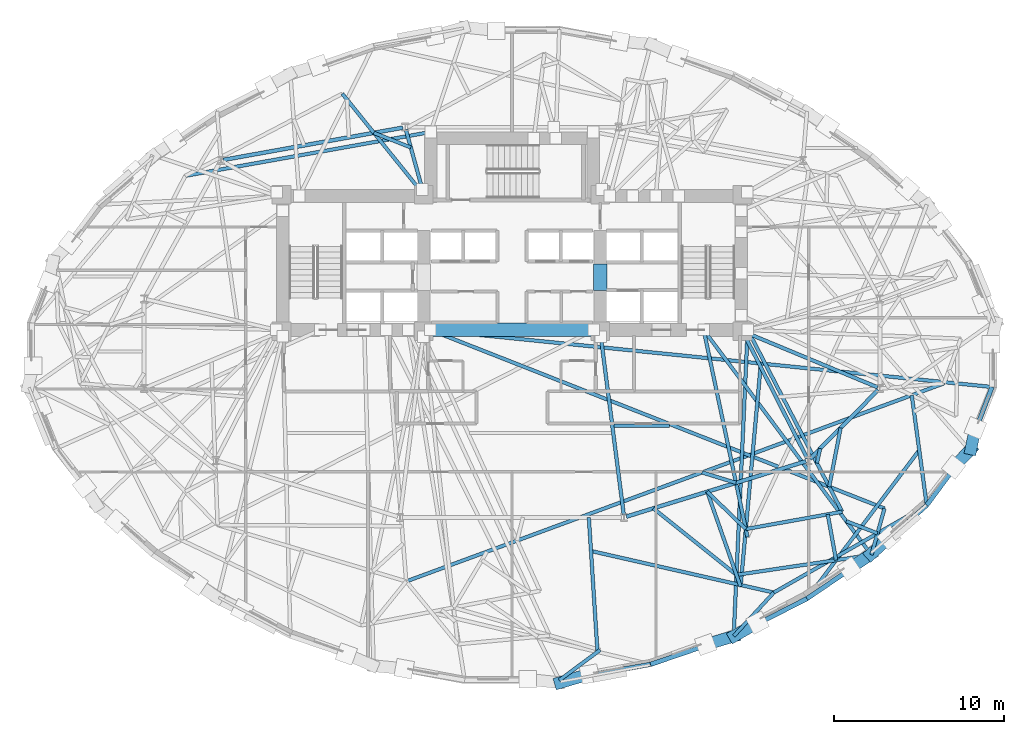
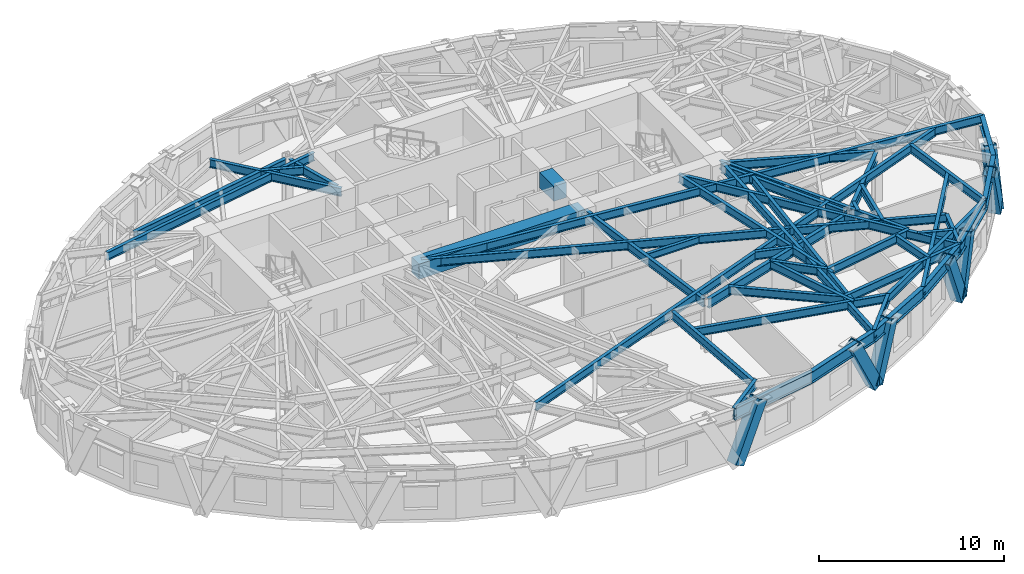
# One storey, part 3 of 15: 46 beams, 7 members.
"""IFC4 building model written with IfcOpenShell, lengths in metres."""

from ifc_helpers import new_model, si_unit, direction, frame, origin, origin_2d, place, context, subcontext, project, spatial, rectangle, hollow_rectangle, i_section, extrude, material, material_profile, profile_set, type_object, element, save


model = new_model("IFC4")

# Units and contexts
model_context = context("Model", 3, precision=1e-05, world=origin(), true_north=direction((0.0, 1.0)))
body_context = subcontext(model_context, "Body", "Model", "MODEL_VIEW")
ifc_project = project(units=[si_unit("LENGTHUNIT", "METRE"), si_unit("AREAUNIT", "SQUARE_METRE"), si_unit("VOLUMEUNIT", "CUBIC_METRE"), si_unit("PLANEANGLEUNIT", "RADIAN"), si_unit("MASSUNIT", "GRAM", prefix="KILO")], contexts=[model_context])

# Site, building, storey
site_placement = place(None, origin())
site = spatial("IfcSite", under=ifc_project, at=site_placement, CompositionType="ELEMENT")
building_placement = place(site_placement, origin())
building = spatial("IfcBuilding", under=site, at=building_placement, Name="Keldmark Tower", CompositionType="ELEMENT")
storey_placement = place(building_placement, frame((0.0, 0.0, 93.10009765625)))
storey = spatial("IfcBuildingStorey", under=building, at=storey_placement, Name="L24", CompositionType="ELEMENT", Elevation=93.10009765625)

# Beams
ifc_material_1 = material(Name="Steel ASTM A992 Grade 50", Category="steel")
ifc_material_profile_1 = material_profile(ifc_material_1, i_section(OverallWidth=0.19091796875, OverallDepth=0.45703125, WebThickness=0.009033203125, FlangeThickness=0.014404296875, at=origin_2d()), Name="W18X50")
ifc_profile_set_1 = profile_set([ifc_material_profile_1], Name="Steel ASTM A992 Grade 50")
beam_type_1 = type_object("IfcBeamType", Name="Composite Floor Joist W18X50", PredefinedType="JOIST", material=ifc_profile_set_1)
beam_1_placement = place(storey_placement, frame((6.016845703125, -4.179931640625, 3.081298828125), z_axis=(1.0, 0.0, 0.0), x_axis=(0.0, 1.0, 0.0)))
element("IfcBeam", 1, at=beam_1_placement, inside=storey, type_object=beam_type_1, Name="L24 Composite Floor Joist J03", PredefinedType="JOIST", context=body_context, shape_type="SweptSolid", body=[
    extrude(i_section(OverallWidth=0.19091796875, OverallDepth=0.45703125, WebThickness=0.009033203125, FlangeThickness=0.014404296875, at=origin_2d()), origin(), (0.0, 0.0, 1.0), 3.2744140625),
])
ifc_material_2 = material(Name="Concrete C70/85", Category="concrete")
ifc_material_profile_2 = material_profile(ifc_material_2, rectangle(XDim=0.800048828125, YDim=1.0, at=origin_2d()), Name="RCB800X1000")
ifc_profile_set_2 = profile_set([ifc_material_profile_2], Name="Concrete C70/85")
beam_type_2 = type_object("IfcBeamType", Name="Core Coupling Beam RCB800X1000", PredefinedType="USERDEFINED", material=ifc_profile_set_2)
beam_2_placement = place(storey_placement, frame((5.199951171875, 3.800048828125, 2.809814453125), z_axis=(0.0, 1.0, 0.0), x_axis=(-1.0, 0.0, 0.0)))
element("IfcBeam", 2, at=beam_2_placement, inside=storey, type_object=beam_type_2, Name="L24 East Core Coupling Beam", ObjectType="COUPLING BEAM", PredefinedType="USERDEFINED", context=body_context, shape_type="SweptSolid", body=[
    extrude(rectangle(XDim=0.800048828125, YDim=1.0, at=origin_2d()), origin(), (0.0, 0.0, 1.0), 1.550048828125),
])
beam_3_placement = place(storey_placement, frame((-5.199951171875, 1.47509765625, 2.809814453125), z_axis=(1.0, 0.0, 0.0), x_axis=(0.0, 1.0, 0.0)))
element("IfcBeam", 3, at=beam_3_placement, inside=storey, type_object=beam_type_2, Name="L24 Central South Core Coupling Beam", ObjectType="COUPLING BEAM", PredefinedType="USERDEFINED", context=body_context, shape_type="SweptSolid", body=[
    extrude(rectangle(XDim=0.800048828125, YDim=1.0, at=origin_2d()), origin(), (0.0, 0.0, 1.0), 10.39990234375),
])

# Members
ifc_material_3 = material(Name="Steel ASTM A572 Grade 50", Category="steel")
ifc_material_profile_3 = material_profile(ifc_material_3, hollow_rectangle(XDim=0.699951171875, YDim=0.699951171875, WallThickness=0.054931640625, at=origin_2d()), Name="BOX700X700X55")
ifc_profile_set_3 = profile_set([ifc_material_profile_3], Name="Steel ASTM A572 Grade 50")
member_type = type_object("IfcMemberType", Name="Diagrid Zone 1 Brace BOX700X700X55", PredefinedType="BRACE", material=ifc_profile_set_3)
member_1_placement = place(storey_placement, frame((2.81201171875, -19.334228515625, -0.27001953125), z_axis=(0.450197140051, 0.131494458127, 0.883194057143), x_axis=(-0.280367353744, 0.959892778885, 0.0)))
element("IfcMember", 4, at=member_1_placement, inside=storey, type_object=member_type, Name="L24 Perimeter Diagrid Brace 13A", PredefinedType="BRACE", context=body_context, shape_type="SweptSolid", body=[
    extrude(hollow_rectangle(XDim=0.699951171875, YDim=0.699951171875, WallThickness=0.054931640625, at=origin_2d()), origin(), (0.0, 0.0, 1.0), 3.91748046875),
])
member_2_placement = place(storey_placement, frame((13.1044921875, -16.583251953125, -0.27001953125), z_axis=(-0.433555425842, -0.128575081288, 0.891907024972), x_axis=(0.28432050225, -0.958729290259, 0.0)))
element("IfcMember", 5, at=member_2_placement, inside=storey, type_object=member_type, Name="L24 Perimeter Diagrid Brace 13B", PredefinedType="BRACE", context=body_context, shape_type="SweptSolid", body=[
    extrude(hollow_rectangle(XDim=0.699951171875, YDim=0.699951171875, WallThickness=0.054931640625, at=origin_2d()), origin(), (0.0, 0.0, 1.0), 3.87939453125),
])
member_3_placement = place(storey_placement, frame((13.093505859375, -16.587890625, -0.27001953125), z_axis=(0.365844500042, 0.208331673834, 0.907058826905), x_axis=(-0.494844996477, 0.868981259558, 0.0)))
element("IfcMember", 6, at=member_3_placement, inside=storey, type_object=member_type, Name="L24 Perimeter Diagrid Brace 14A", PredefinedType="BRACE", context=body_context, shape_type="SweptSolid", body=[
    extrude(hollow_rectangle(XDim=0.699951171875, YDim=0.699951171875, WallThickness=0.054931640625, at=origin_2d()), origin(), (0.0, 0.0, 1.0), 3.814453125),
])
member_4_placement = place(storey_placement, frame((21.16943359375, -11.751220703125, -0.27001953125), z_axis=(-0.336388011128, -0.22621529339, 0.914149739925), x_axis=(0.558037263463, -0.829815890778, 0.0)))
element("IfcMember", 7, at=member_4_placement, inside=storey, type_object=member_type, Name="L24 Perimeter Diagrid Brace 14B", PredefinedType="BRACE", context=body_context, shape_type="SweptSolid", body=[
    extrude(hollow_rectangle(XDim=0.699951171875, YDim=0.699951171875, WallThickness=0.054931640625, at=origin_2d()), origin(), (0.0, 0.0, 1.0), 3.784912109375),
])
member_5_placement = place(storey_placement, frame((21.1611328125, -11.759521484375, -0.27001953125), z_axis=(0.288013107273, 0.260967181173, 0.921381886293), x_axis=(-0.671456277995, 0.741044173273, 0.0)))
element("IfcMember", 8, at=member_5_placement, inside=storey, type_object=member_type, Name="L24 Perimeter Diagrid Brace 15A", PredefinedType="BRACE", context=body_context, shape_type="SweptSolid", body=[
    extrude(hollow_rectangle(XDim=0.699951171875, YDim=0.699951171875, WallThickness=0.054931640625, at=origin_2d()), origin(), (0.0, 0.0, 1.0), 3.755126953125),
])
member_6_placement = place(storey_placement, frame((27.07470703125, -5.5498046875, -0.27001953125), z_axis=(-0.271688617998, -0.28375789981, 0.919601407755), x_axis=(0.722300988168, -0.691578833172, 0.0)))
element("IfcMember", 9, at=member_6_placement, inside=storey, type_object=member_type, Name="L24 Perimeter Diagrid Brace 15B", PredefinedType="BRACE", context=body_context, shape_type="SweptSolid", body=[
    extrude(hollow_rectangle(XDim=0.699951171875, YDim=0.699951171875, WallThickness=0.054931640625, at=origin_2d()), origin(), (0.0, 0.0, 1.0), 3.762451171875),
])
member_7_placement = place(storey_placement, frame((27.0703125, -5.560791015625, -0.27001953125), z_axis=(0.070587021727, 0.340630341962, 0.937543834974), x_axis=(-0.97919661889, 0.202913729337, 0.0)))
element("IfcMember", 10, at=member_7_placement, inside=storey, type_object=member_type, Name="L24 Perimeter Diagrid Brace 16A", PredefinedType="BRACE", context=body_context, shape_type="SweptSolid", body=[
    extrude(hollow_rectangle(XDim=0.699951171875, YDim=0.699951171875, WallThickness=0.054931640625, at=origin_2d()), origin(), (0.0, 0.0, 1.0), 3.6904296875),
])

# Beams
ifc_material_4 = material(Name="Steel ASTM A992 Grade 50", Category="steel")
ifc_material_profile_4 = material_profile(ifc_material_4, i_section(OverallWidth=0.22900390625, OverallDepth=0.612060546875, WebThickness=0.011962890625, FlangeThickness=0.01953125, at=origin_2d()), Name="W24X84")
ifc_profile_set_4 = profile_set([ifc_material_profile_4], Name="Steel ASTM A992 Grade 50")
beam_type_3 = type_object("IfcBeamType", Name="Primary Floor Girder W24X84", PredefinedType="BEAM", material=ifc_profile_set_4)
beam_4_placement = place(storey_placement, frame((-6.4365234375, 13.40771484375, 3.00390625), z_axis=(-0.984218266992, -0.176958760505, 0.0), x_axis=(0.176958760505, -0.984218266992, 0.0)))
element("IfcBeam", 11, at=beam_4_placement, inside=storey, type_object=beam_type_3, Name="L24 Floor Ring Girder FG-R04", PredefinedType="BEAM", context=body_context, shape_type="SweptSolid", body=[
    extrude(i_section(OverallWidth=0.22900390625, OverallDepth=0.612060546875, WebThickness=0.011962890625, FlangeThickness=0.01953125, at=origin_2d()), origin(), (0.0, 0.0, 1.0), 10.7626953125),
])
beam_5_placement = place(storey_placement, frame((6.74658203125, -9.5380859375, 3.00390625), z_axis=(0.955607954968, 0.294641199432, 0.0), x_axis=(-0.294641199432, 0.955607954968, 0.0)))
element("IfcBeam", 12, at=beam_5_placement, inside=storey, type_object=beam_type_3, Name="L24 Floor Ring Girder FG-R10", PredefinedType="BEAM", context=body_context, shape_type="SweptSolid", body=[
    extrude(i_section(OverallWidth=0.22900390625, OverallDepth=0.612060546875, WebThickness=0.011962890625, FlangeThickness=0.01953125, at=origin_2d()), origin(), (0.0, 0.0, 1.0), 11.089111328125),
])
beam_6_placement = place(storey_placement, frame((17.57568359375, -6.130126953125, 3.00390625), z_axis=(0.703425791323, 0.71076870788, 0.0), x_axis=(-0.71076870788, 0.703425791323, 0.0)))
element("IfcBeam", 13, at=beam_6_placement, inside=storey, type_object=beam_type_3, Name="L24 Floor Ring Girder FG-R11", PredefinedType="BEAM", context=body_context, shape_type="SweptSolid", body=[
    extrude(i_section(OverallWidth=0.22900390625, OverallDepth=0.612060546875, WebThickness=0.011962890625, FlangeThickness=0.01953125, at=origin_2d()), origin(), (0.0, 0.0, 1.0), 5.71875),
])
ifc_material_5 = material(Name="Steel ASTM A992 Grade 50", Category="steel")
ifc_material_profile_5 = material_profile(ifc_material_5, i_section(OverallWidth=0.2099609375, OverallDepth=0.537109375, WebThickness=0.010986328125, FlangeThickness=0.017333984375, at=origin_2d()), Name="W21X68")
ifc_profile_set_5 = profile_set([ifc_material_profile_5], Name="Steel ASTM A992 Grade 50")
beam_type_4 = type_object("IfcBeamType", Name="Radial Tie Girder W21X68", PredefinedType="BEAM", material=ifc_profile_set_5)
beam_7_placement = place(storey_placement, frame((-5.968505859375, 12.23583984375, 3.04150390625), z_axis=(-0.929415261927, 0.369035595704, 0.0), x_axis=(-0.369035595704, -0.929415261927, 0.0)))
element("IfcBeam", 14, at=beam_7_placement, inside=storey, type_object=beam_type_4, Name="L24 Framing Pin Header PH-002", PredefinedType="BEAM", context=body_context, shape_type="SweptSolid", body=[
    extrude(i_section(OverallWidth=0.2099609375, OverallDepth=0.537109375, WebThickness=0.010986328125, FlangeThickness=0.017333984375, at=origin_2d()), origin(), (0.0, 0.0, 1.0), 2.342529296875),
])
beam_8_placement = place(storey_placement, frame((-5.199951171875, 9.449951171875, 3.04150390625), z_axis=(-0.628014186536, 0.778201889942, 0.0), x_axis=(-0.778201889942, -0.628014186536, 0.0)))
element("IfcBeam", 15, at=beam_8_placement, inside=storey, type_object=beam_type_4, Name="L24 Sub-Ring Step Girder STP1-M05", PredefinedType="BEAM", context=body_context, shape_type="SweptSolid", body=[
    extrude(i_section(OverallWidth=0.2099609375, OverallDepth=0.537109375, WebThickness=0.010986328125, FlangeThickness=0.017333984375, at=origin_2d()), origin(), (0.0, 0.0, 1.0), 7.656494140625),
])
beam_9_placement = place(storey_placement, frame((-4.800048828125, 13.14990234375, 3.04150390625), z_axis=(-0.984417311093, -0.175848109515, 0.0), x_axis=(0.175848109515, -0.984417311093, 0.0)))
element("IfcBeam", 16, at=beam_9_placement, inside=storey, type_object=beam_type_4, Name="L24 Sub-Ring Step Girder STP1-M06", PredefinedType="BEAM", context=body_context, shape_type="SweptSolid", body=[
    extrude(i_section(OverallWidth=0.2099609375, OverallDepth=0.537109375, WebThickness=0.010986328125, FlangeThickness=0.017333984375, at=origin_2d()), origin(), (0.0, 0.0, 1.0), 14.70263671875),
])
beam_10_placement = place(storey_placement, frame((-6.239501953125, -13.35791015625, 3.04150390625), z_axis=(0.938383552049, 0.345595586262, 0.0), x_axis=(-0.345595586262, 0.938383552049, 0.0)))
element("IfcBeam", 17, at=beam_10_placement, inside=storey, type_object=beam_type_4, Name="L24 Perimeter Collector Ring Beam CRG1-M09", PredefinedType="BEAM", context=body_context, shape_type="SweptSolid", body=[
    extrude(i_section(OverallWidth=0.2099609375, OverallDepth=0.537109375, WebThickness=0.010986328125, FlangeThickness=0.017333984375, at=origin_2d()), origin(), (0.0, 0.0, 1.0), 33.806396484375),
])
beam_11_placement = place(storey_placement, frame((11.208251953125, -6.931884765625, 3.04150390625), z_axis=(0.956473475478, -0.291819277476, 0.0), x_axis=(0.291819277476, 0.956473475478, 0.0)))
element("IfcBeam", 18, at=beam_11_placement, inside=storey, type_object=beam_type_4, Name="L24 Framing Pin Header PH-013", PredefinedType="BEAM", context=body_context, shape_type="SweptSolid", body=[
    extrude(i_section(OverallWidth=0.2099609375, OverallDepth=0.537109375, WebThickness=0.010986328125, FlangeThickness=0.017333984375, at=origin_2d()), origin(), (0.0, 0.0, 1.0), 2.097412109375),
])
beam_12_placement = place(storey_placement, frame((11.30712890625, 1.47509765625, 3.04150390625), z_axis=(0.206880823206, -0.978366150779, 0.0), x_axis=(0.978366150779, 0.206880823206, 0.0)))
element("IfcBeam", 19, at=beam_12_placement, inside=storey, type_object=beam_type_4, Name="L24 Sub-Ring Step Girder STP2-M11", PredefinedType="BEAM", context=body_context, shape_type="SweptSolid", body=[
    extrude(i_section(OverallWidth=0.2099609375, OverallDepth=0.537109375, WebThickness=0.010986328125, FlangeThickness=0.017333984375, at=origin_2d()), origin(), (0.0, 0.0, 1.0), 12.48193359375),
])
beam_13_placement = place(storey_placement, frame((2.78857421875, -19.192138671875, 3.04150390625), z_axis=(0.802397351896, 0.596790155474, 0.0), x_axis=(-0.596790155474, 0.802397351896, 0.0)))
element("IfcBeam", 20, at=beam_13_placement, inside=storey, type_object=beam_type_4, Name="L24 Local Collector Chord RT-26C", PredefinedType="BEAM", context=body_context, shape_type="SweptSolid", body=[
    extrude(i_section(OverallWidth=0.2099609375, OverallDepth=0.537109375, WebThickness=0.010986328125, FlangeThickness=0.017333984375, at=origin_2d()), origin(), (0.0, 0.0, 1.0), 2.998291015625),
])
beam_14_placement = place(storey_placement, frame((4.531005859375, -9.579345703125, 3.04150390625), z_axis=(0.06447498935, -0.997919323266, 0.0), x_axis=(0.997919323266, 0.06447498935, 0.0)))
element("IfcBeam", 21, at=beam_14_placement, inside=storey, type_object=beam_type_4, Name="L24 Framing Pin Header PH-038", PredefinedType="BEAM", context=body_context, shape_type="SweptSolid", body=[
    extrude(i_section(OverallWidth=0.2099609375, OverallDepth=0.537109375, WebThickness=0.010986328125, FlangeThickness=0.017333984375, at=origin_2d()), origin(), (0.0, 0.0, 1.0), 7.951904296875),
])
beam_15_placement = place(storey_placement, frame((11.51513671875, -8.06787109375, 3.04150390625), z_axis=(0.718497764922, -0.695529267395, 0.0), x_axis=(0.695529267395, 0.718497764922, 0.0)))
element("IfcBeam", 22, at=beam_15_placement, inside=storey, type_object=beam_type_4, Name="L24 Framing Pin Header PH-039", PredefinedType="BEAM", context=body_context, shape_type="SweptSolid", body=[
    extrude(i_section(OverallWidth=0.2099609375, OverallDepth=0.537109375, WebThickness=0.010986328125, FlangeThickness=0.017333984375, at=origin_2d()), origin(), (0.0, 0.0, 1.0), 3.16748046875),
])
beam_16_placement = place(storey_placement, frame((14.662109375, -0.690185546875, 3.04150390625), z_axis=(-0.09054588762, -0.995892284454, 0.0), x_axis=(0.995892284454, -0.09054588762, 0.0)))
element("IfcBeam", 23, at=beam_16_placement, inside=storey, type_object=beam_type_4, Name="L24 Intermediate Radial Step Girder RT-27M", PredefinedType="BEAM", context=body_context, shape_type="SweptSolid", body=[
    extrude(i_section(OverallWidth=0.2099609375, OverallDepth=0.537109375, WebThickness=0.010986328125, FlangeThickness=0.017333984375, at=origin_2d()), origin(), (0.0, 0.0, 1.0), 13.023193359375),
])
beam_17_placement = place(storey_placement, frame((11.51513671875, -8.06787109375, 3.04150390625), z_axis=(0.331936750088, -0.943301645255, 0.0), x_axis=(0.943301645255, 0.331936750088, 0.0)))
element("IfcBeam", 24, at=beam_17_placement, inside=storey, type_object=beam_type_4, Name="L24 Local Collector Chord RT-27C", PredefinedType="BEAM", context=body_context, shape_type="SweptSolid", body=[
    extrude(i_section(OverallWidth=0.2099609375, OverallDepth=0.537109375, WebThickness=0.010986328125, FlangeThickness=0.017333984375, at=origin_2d()), origin(), (0.0, 0.0, 1.0), 5.92822265625),
])
beam_18_placement = place(storey_placement, frame((8.336181640625, -9.048095703125, 3.04150390625), z_axis=(0.780830889327, -0.624742444751, 0.0), x_axis=(0.624742444751, 0.780830889327, 0.0)))
element("IfcBeam", 25, at=beam_18_placement, inside=storey, type_object=beam_type_4, Name="L24 Framing Pin Header PH-040", PredefinedType="BEAM", context=body_context, shape_type="SweptSolid", body=[
    extrude(i_section(OverallWidth=0.2099609375, OverallDepth=0.537109375, WebThickness=0.010986328125, FlangeThickness=0.017333984375, at=origin_2d()), origin(), (0.0, 0.0, 1.0), 6.281494140625),
])
beam_19_placement = place(storey_placement, frame((13.89990234375, 1.47509765625, 3.04150390625), z_axis=(-0.045567554309, -0.998961259506, 0.0), x_axis=(0.998961259506, -0.045567554309, 0.0)))
element("IfcBeam", 26, at=beam_19_placement, inside=storey, type_object=beam_type_4, Name="L24 Perimeter Radial Tie Girder RT-27", PredefinedType="BEAM", context=body_context, shape_type="SweptSolid", body=[
    extrude(i_section(OverallWidth=0.2099609375, OverallDepth=0.537109375, WebThickness=0.010986328125, FlangeThickness=0.017333984375, at=origin_2d()), origin(), (0.0, 0.0, 1.0), 18.0771484375),
])
beam_20_placement = place(storey_placement, frame((4.6591796875, -11.563232421875, 3.04150390625), z_axis=(0.975091196702, -0.221804323931, 0.0), x_axis=(0.221804323931, 0.975091196702, 0.0)))
element("IfcBeam", 27, at=beam_20_placement, inside=storey, type_object=beam_type_4, Name="L24 Intermediate Radial Step Girder RT-28M", PredefinedType="BEAM", context=body_context, shape_type="SweptSolid", body=[
    extrude(i_section(OverallWidth=0.2099609375, OverallDepth=0.537109375, WebThickness=0.010986328125, FlangeThickness=0.017333984375, at=origin_2d()), origin(), (0.0, 0.0, 1.0), 11.0576171875),
])
beam_21_placement = place(storey_placement, frame((13.076171875, -16.583251953125, 3.04150390625), z_axis=(0.677559392976, 0.735468061162, 0.0), x_axis=(-0.735468061162, 0.677559392976, 0.0)))
element("IfcBeam", 28, at=beam_21_placement, inside=storey, type_object=beam_type_4, Name="L24 Local Collector Chord RT-28C", PredefinedType="BEAM", context=body_context, shape_type="SweptSolid", body=[
    extrude(i_section(OverallWidth=0.2099609375, OverallDepth=0.537109375, WebThickness=0.010986328125, FlangeThickness=0.017333984375, at=origin_2d()), origin(), (0.0, 0.0, 1.0), 3.49072265625),
])
beam_22_placement = place(storey_placement, frame((18.17919921875, -5.5205078125, 3.04150390625), z_axis=(-0.218421323768, -0.975854561563, 0.0), x_axis=(0.975854561563, -0.218421323768, 0.0)))
element("IfcBeam", 29, at=beam_22_placement, inside=storey, type_object=beam_type_4, Name="L24 Framing Pin Header PH-041", PredefinedType="BEAM", context=body_context, shape_type="SweptSolid", body=[
    extrude(i_section(OverallWidth=0.2099609375, OverallDepth=0.537109375, WebThickness=0.010986328125, FlangeThickness=0.017333984375, at=origin_2d()), origin(), (0.0, 0.0, 1.0), 0.884033203125),
])
beam_23_placement = place(storey_placement, frame((13.89990234375, 1.47509765625, 3.04150390625), z_axis=(0.4613349316, -0.887226059629, 0.0), x_axis=(0.887226059629, 0.4613349316, 0.0)))
element("IfcBeam", 30, at=beam_23_placement, inside=storey, type_object=beam_type_4, Name="L24 Intermediate Radial Step Girder RT-29M", PredefinedType="BEAM", context=body_context, shape_type="SweptSolid", body=[
    extrude(i_section(OverallWidth=0.2099609375, OverallDepth=0.537109375, WebThickness=0.010986328125, FlangeThickness=0.017333984375, at=origin_2d()), origin(), (0.0, 0.0, 1.0), 12.088623046875),
])
beam_24_placement = place(storey_placement, frame((13.791015625, -10.27099609375, 3.04150390625), z_axis=(0.984264422643, 0.176701857146, 0.0), x_axis=(-0.176701857146, 0.984264422643, 0.0)))
element("IfcBeam", 31, at=beam_24_placement, inside=storey, type_object=beam_type_4, Name="L24 Local Collector Chord RT-29C", PredefinedType="BEAM", context=body_context, shape_type="SweptSolid", body=[
    extrude(i_section(OverallWidth=0.2099609375, OverallDepth=0.537109375, WebThickness=0.010986328125, FlangeThickness=0.017333984375, at=origin_2d()), origin(), (0.0, 0.0, 1.0), 5.776611328125),
])
beam_25_placement = place(storey_placement, frame((11.30712890625, 1.47509765625, 3.04150390625), z_axis=(0.597762832939, -0.801672997897, 0.0), x_axis=(0.801672997897, 0.597762832939, 0.0)))
element("IfcBeam", 32, at=beam_25_placement, inside=storey, type_object=beam_type_4, Name="L24 Perimeter Radial Tie Girder RT-29", PredefinedType="BEAM", context=body_context, shape_type="SweptSolid", body=[
    extrude(i_section(OverallWidth=0.2099609375, OverallDepth=0.537109375, WebThickness=0.010986328125, FlangeThickness=0.017333984375, at=origin_2d()), origin(), (0.0, 0.0, 1.0), 16.552490234375),
])
beam_26_placement = place(storey_placement, frame((19.385986328125, -4.301025390625, 3.04150390625), z_axis=(-0.190913964962, -0.981606773603, 0.0), x_axis=(0.981606773603, -0.190913964962, 0.0)))
element("IfcBeam", 33, at=beam_26_placement, inside=storey, type_object=beam_type_4, Name="L24 Framing Pin Header PH-042", PredefinedType="BEAM", context=body_context, shape_type="SweptSolid", body=[
    extrude(i_section(OverallWidth=0.2099609375, OverallDepth=0.537109375, WebThickness=0.010986328125, FlangeThickness=0.017333984375, at=origin_2d()), origin(), (0.0, 0.0, 1.0), 3.539794921875),
])
beam_27_placement = place(storey_placement, frame((-4.824951171875, 1.47509765625, 3.04150390625), z_axis=(0.930686957858, -0.365816602238, 0.0), x_axis=(0.365816602238, 0.930686957858, 0.0)))
element("IfcBeam", 34, at=beam_27_placement, inside=storey, type_object=beam_type_4, Name="L24 Intermediate Radial Step Girder RT-30M", PredefinedType="BEAM", context=body_context, shape_type="SweptSolid", body=[
    extrude(i_section(OverallWidth=0.2099609375, OverallDepth=0.537109375, WebThickness=0.010986328125, FlangeThickness=0.017333984375, at=origin_2d()), origin(), (0.0, 0.0, 1.0), 28.791015625),
])
beam_28_placement = place(storey_placement, frame((21.20166015625, -11.794677734375, 3.04150390625), z_axis=(0.270375074145, 0.962755067128, 0.0), x_axis=(-0.962755067128, 0.270375074145, 0.0)))
element("IfcBeam", 35, at=beam_28_placement, inside=storey, type_object=beam_type_4, Name="L24 Local Collector Chord RT-30C", PredefinedType="BEAM", context=body_context, shape_type="SweptSolid", body=[
    extrude(i_section(OverallWidth=0.2099609375, OverallDepth=0.537109375, WebThickness=0.010986328125, FlangeThickness=0.017333984375, at=origin_2d()), origin(), (0.0, 0.0, 1.0), 2.843505859375),
])
beam_29_placement = place(storey_placement, frame((19.71728515625, -9.80419921875, 3.04150390625), z_axis=(0.931603121715, -0.363477129419, 0.0), x_axis=(0.363477129419, 0.931603121715, 0.0)))
element("IfcBeam", 36, at=beam_29_placement, inside=storey, type_object=beam_type_4, Name="L24 Framing Pin Header PH-043", PredefinedType="BEAM", context=body_context, shape_type="SweptSolid", body=[
    extrude(i_section(OverallWidth=0.2099609375, OverallDepth=0.537109375, WebThickness=0.010986328125, FlangeThickness=0.017333984375, at=origin_2d()), origin(), (0.0, 0.0, 1.0), 1.976806640625),
])
beam_30_placement = place(storey_placement, frame((15.44140625, -14.015869140625, 3.04150390625), z_axis=(0.868402162732, 0.495860548706, 0.0), x_axis=(-0.495860548706, 0.868402162732, 0.0)))
element("IfcBeam", 37, at=beam_30_placement, inside=storey, type_object=beam_type_4, Name="L24 Perimeter Radial Tie Girder RT-30", PredefinedType="BEAM", context=body_context, shape_type="SweptSolid", body=[
    extrude(i_section(OverallWidth=0.2099609375, OverallDepth=0.537109375, WebThickness=0.010986328125, FlangeThickness=0.017333984375, at=origin_2d()), origin(), (0.0, 0.0, 1.0), 10.3896484375),
])
beam_31_placement = place(storey_placement, frame((24.4638671875, -8.864013671875, 3.04150390625), z_axis=(-0.13496679122, 0.990850122505, 0.0), x_axis=(-0.990850122505, -0.13496679122, 0.0)))
element("IfcBeam", 38, at=beam_31_placement, inside=storey, type_object=beam_type_4, Name="L24 Framing Pin Header PH-044", PredefinedType="BEAM", context=body_context, shape_type="SweptSolid", body=[
    extrude(i_section(OverallWidth=0.2099609375, OverallDepth=0.537109375, WebThickness=0.010986328125, FlangeThickness=0.017333984375, at=origin_2d()), origin(), (0.0, 0.0, 1.0), 6.548095703125),
])
beam_32_placement = place(storey_placement, frame((-4.824951171875, 1.47509765625, 3.04150390625), z_axis=(0.994882295885, -0.101040671682, 0.0), x_axis=(0.101040671682, 0.994882295885, 0.0)))
element("IfcBeam", 39, at=beam_32_placement, inside=storey, type_object=beam_type_4, Name="L24 Perimeter Radial Tie Girder RT-32", PredefinedType="BEAM", context=body_context, shape_type="SweptSolid", body=[
    extrude(i_section(OverallWidth=0.2099609375, OverallDepth=0.537109375, WebThickness=0.010986328125, FlangeThickness=0.017333984375, at=origin_2d()), origin(), (0.0, 0.0, 1.0), 33.30810546875),
])
beam_33_placement = place(storey_placement, frame((13.240966796875, -12.972412109375, 3.04150390625), z_axis=(0.98923276255, 0.146350748199, 0.0), x_axis=(-0.146350748199, 0.98923276255, 0.0)))
element("IfcBeam", 40, at=beam_33_placement, inside=storey, type_object=beam_type_4, Name="L24 Straddling Support Chord RT-28RB", PredefinedType="BEAM", context=body_context, shape_type="SweptSolid", body=[
    extrude(i_section(OverallWidth=0.2099609375, OverallDepth=0.537109375, WebThickness=0.010986328125, FlangeThickness=0.017333984375, at=origin_2d()), origin(), (0.0, 0.0, 1.0), 8.04736328125),
])
beam_34_placement = place(storey_placement, frame((18.6240234375, -9.4033203125, 3.04150390625), z_axis=(0.17933946112, -0.983787252248, 0.0), x_axis=(0.983787252248, 0.17933946112, 0.0)))
element("IfcBeam", 41, at=beam_34_placement, inside=storey, type_object=beam_type_4, Name="L24 Framing Pin Header PH-056", PredefinedType="BEAM", context=body_context, shape_type="SweptSolid", body=[
    extrude(i_section(OverallWidth=0.2099609375, OverallDepth=0.537109375, WebThickness=0.010986328125, FlangeThickness=0.017333984375, at=origin_2d()), origin(), (0.0, 0.0, 1.0), 2.744384765625),
])
beam_35_placement = place(storey_placement, frame((24.02197265625, -5.619873046875, 3.04150390625), z_axis=(-0.603397176873, -0.797440810933, 0.0), x_axis=(0.797440810933, -0.603397176873, 0.0)))
element("IfcBeam", 42, at=beam_35_placement, inside=storey, type_object=beam_type_4, Name="L24 Perimeter Radial Tie Girder RT-28R", PredefinedType="BEAM", context=body_context, shape_type="SweptSolid", body=[
    extrude(i_section(OverallWidth=0.2099609375, OverallDepth=0.537109375, WebThickness=0.010986328125, FlangeThickness=0.017333984375, at=origin_2d()), origin(), (0.0, 0.0, 1.0), 10.97509765625),
])
ifc_material_6 = material(Name="Steel ASTM A992 Grade 50", Category="steel")
ifc_material_profile_6 = material_profile(ifc_material_6, i_section(OverallWidth=0.214111328125, OverallDepth=0.549072265625, WebThickness=0.0146484375, FlangeThickness=0.023681640625, at=origin_2d()), Name="W21X93")
ifc_profile_set_6 = profile_set([ifc_material_profile_6], Name="Steel ASTM A992 Grade 50")
beam_type_5 = type_object("IfcBeamType", Name="Radial Tie Girder W21X93", PredefinedType="BEAM", material=ifc_profile_set_6)
beam_36_placement = place(storey_placement, frame((-6.26171875, 13.297607421875, 3.035400390625), z_axis=(0.265997186795, -0.963973804944, 0.0), x_axis=(0.963973804944, 0.265997186795, 0.0)))
element("IfcBeam", 43, at=beam_36_placement, inside=storey, type_object=beam_type_5, Name="L24 Floor Radial Girder FG-C04", PredefinedType="BEAM", context=body_context, shape_type="SweptSolid", body=[
    extrude(i_section(OverallWidth=0.214111328125, OverallDepth=0.549072265625, WebThickness=0.0146484375, FlangeThickness=0.023681640625, at=origin_2d()), origin(), (0.0, 0.0, 1.0), 3.67138671875),
])
beam_37_placement = place(storey_placement, frame((6.594970703125, -9.4404296875, 3.035400390625), z_axis=(-0.127642040045, 0.991820301069, 0.0), x_axis=(-0.991820301069, -0.127642040045, 0.0)))
element("IfcBeam", 44, at=beam_37_placement, inside=storey, type_object=beam_type_5, Name="L24 Floor Radial Girder FG-C10", PredefinedType="BEAM", context=body_context, shape_type="SweptSolid", body=[
    extrude(i_section(OverallWidth=0.214111328125, OverallDepth=0.549072265625, WebThickness=0.0146484375, FlangeThickness=0.023681640625, at=origin_2d()), origin(), (0.0, 0.0, 1.0), 10.609619140625),
])
beam_38_placement = place(storey_placement, frame((17.413818359375, -6.104736328125, 3.035400390625), z_axis=(-0.453028637759, 0.891495963743, 0.0), x_axis=(-0.891495963743, -0.453028637759, 0.0)))
element("IfcBeam", 45, at=beam_38_placement, inside=storey, type_object=beam_type_5, Name="L24 Floor Radial Girder FG-C11", PredefinedType="BEAM", context=body_context, shape_type="SweptSolid", body=[
    extrude(i_section(OverallWidth=0.214111328125, OverallDepth=0.549072265625, WebThickness=0.0146484375, FlangeThickness=0.023681640625, at=origin_2d()), origin(), (0.0, 0.0, 1.0), 8.09814453125),
])
beam_39_placement = place(storey_placement, frame((21.567626953125, -1.912109375, 3.035400390625), z_axis=(-0.923397393633, 0.383845350932, 0.0), x_axis=(-0.383845350932, -0.923397393633, 0.0)))
element("IfcBeam", 46, at=beam_39_placement, inside=storey, type_object=beam_type_5, Name="L24 Floor Radial Girder FG-C12", PredefinedType="BEAM", context=body_context, shape_type="SweptSolid", body=[
    extrude(i_section(OverallWidth=0.214111328125, OverallDepth=0.549072265625, WebThickness=0.0146484375, FlangeThickness=0.023681640625, at=origin_2d()), origin(), (0.0, 0.0, 1.0), 8.30859375),
])
ifc_material_7 = material(Name="Steel ASTM A992 Grade 50", Category="steel")
ifc_material_profile_7 = material_profile(ifc_material_7, i_section(OverallWidth=0.26806640625, OverallDepth=0.77001953125, WebThickness=0.015625, FlangeThickness=0.025390625, at=origin_2d()), Name="W30X132")
ifc_profile_set_7 = profile_set([ifc_material_profile_7], Name="Steel ASTM A992 Grade 50")
beam_type_6 = type_object("IfcBeamType", Name="Spandrel Ring Beam W30X132", PredefinedType="SPANDREL", material=ifc_profile_set_7)
beam_40_placement = place(storey_placement, frame((2.78857421875, -19.192138671875, 2.9248046875), z_axis=(0.98507560131, 0.172122223157, 0.0), x_axis=(-0.172122223157, 0.98507560131, 0.0)))
element("IfcBeam", 47, at=beam_40_placement, inside=storey, type_object=beam_type_6, Name="L24 Perimeter Spandrel Ring Beam SRB-25", PredefinedType="SPANDREL", context=body_context, shape_type="SweptSolid", body=[
    extrude(i_section(OverallWidth=0.26806640625, OverallDepth=0.77001953125, WebThickness=0.015625, FlangeThickness=0.025390625, at=origin_2d()), origin(), (0.0, 0.0, 1.0), 5.4609375),
])
beam_41_placement = place(storey_placement, frame((8.16796875, -18.252197265625, 2.9248046875), z_axis=(0.946763558794, 0.321929749697, 0.0), x_axis=(-0.321929749697, 0.946763558794, 0.0)))
element("IfcBeam", 48, at=beam_41_placement, inside=storey, type_object=beam_type_6, Name="L24 Perimeter Spandrel Ring Beam SRB-26", PredefinedType="SPANDREL", context=body_context, shape_type="SweptSolid", body=[
    extrude(i_section(OverallWidth=0.26806640625, OverallDepth=0.77001953125, WebThickness=0.015625, FlangeThickness=0.025390625, at=origin_2d()), origin(), (0.0, 0.0, 1.0), 5.18408203125),
])
beam_42_placement = place(storey_placement, frame((13.076171875, -16.583251953125, 2.9248046875), z_axis=(0.890297461787, 0.455379434687, 0.0), x_axis=(-0.455379434687, 0.890297461787, 0.0)))
element("IfcBeam", 49, at=beam_42_placement, inside=storey, type_object=beam_type_6, Name="L24 Perimeter Spandrel Ring Beam SRB-27", PredefinedType="SPANDREL", context=body_context, shape_type="SweptSolid", body=[
    extrude(i_section(OverallWidth=0.26806640625, OverallDepth=0.77001953125, WebThickness=0.015625, FlangeThickness=0.025390625, at=origin_2d()), origin(), (0.0, 0.0, 1.0), 4.856201171875),
])
beam_43_placement = place(storey_placement, frame((17.399658203125, -14.371826171875, 2.9248046875), z_axis=(0.827757035065, 0.561086705333, 0.0), x_axis=(-0.561086705333, 0.827757035065, 0.0)))
element("IfcBeam", 50, at=beam_43_placement, inside=storey, type_object=beam_type_6, Name="L24 Perimeter Spandrel Ring Beam SRB-28", PredefinedType="SPANDREL", context=body_context, shape_type="SweptSolid", body=[
    extrude(i_section(OverallWidth=0.26806640625, OverallDepth=0.77001953125, WebThickness=0.015625, FlangeThickness=0.025390625, at=origin_2d()), origin(), (0.0, 0.0, 1.0), 4.593017578125),
])
beam_44_placement = place(storey_placement, frame((21.20166015625, -11.794677734375, 2.9248046875), z_axis=(0.743897322515, 0.668293927516, 0.0), x_axis=(-0.668293927516, 0.743897322515, 0.0)))
element("IfcBeam", 51, at=beam_44_placement, inside=storey, type_object=beam_type_6, Name="L24 Perimeter Spandrel Ring Beam SRB-29", PredefinedType="SPANDREL", context=body_context, shape_type="SweptSolid", body=[
    extrude(i_section(OverallWidth=0.26806640625, OverallDepth=0.77001953125, WebThickness=0.015625, FlangeThickness=0.025390625, at=origin_2d()), origin(), (0.0, 0.0, 1.0), 4.38525390625),
])
beam_45_placement = place(storey_placement, frame((24.4638671875, -8.864013671875, 2.9248046875), z_axis=(0.594825474023, 0.803854872133, 0.0), x_axis=(-0.803854872133, 0.594825474023, 0.0)))
element("IfcBeam", 52, at=beam_45_placement, inside=storey, type_object=beam_type_6, Name="L24 Perimeter Spandrel Ring Beam SRB-30", PredefinedType="SPANDREL", context=body_context, shape_type="SweptSolid", body=[
    extrude(i_section(OverallWidth=0.26806640625, OverallDepth=0.77001953125, WebThickness=0.015625, FlangeThickness=0.025390625, at=origin_2d()), origin(), (0.0, 0.0, 1.0), 4.139404296875),
])
beam_46_placement = place(storey_placement, frame((26.926025390625, -5.53662109375, 2.9248046875), z_axis=(0.35547477521, 0.934685874607, 0.0), x_axis=(-0.934685874607, 0.35547477521, 0.0)))
element("IfcBeam", 53, at=beam_46_placement, inside=storey, type_object=beam_type_6, Name="L24 Perimeter Spandrel Ring Beam SRB-31", PredefinedType="SPANDREL", context=body_context, shape_type="SweptSolid", body=[
    extrude(i_section(OverallWidth=0.26806640625, OverallDepth=0.77001953125, WebThickness=0.015625, FlangeThickness=0.025390625, at=origin_2d()), origin(), (0.0, 0.0, 1.0), 3.901123046875),
])

save(model, "model.ifc")
